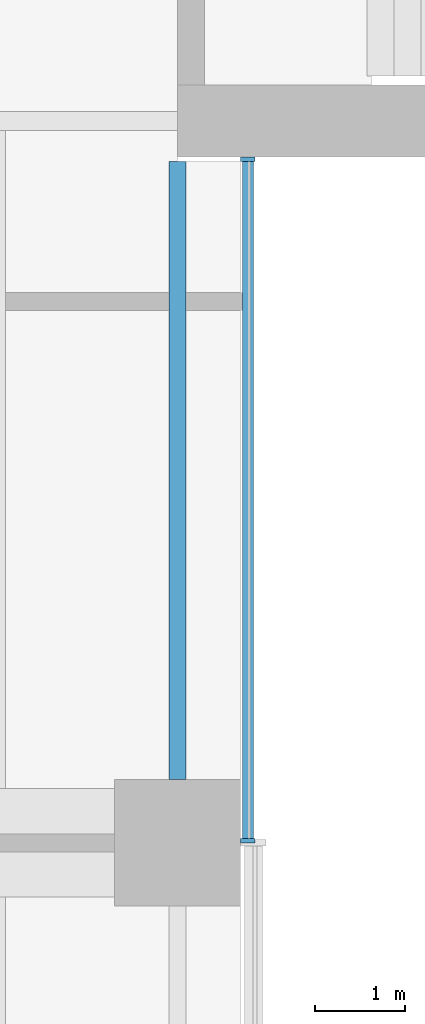
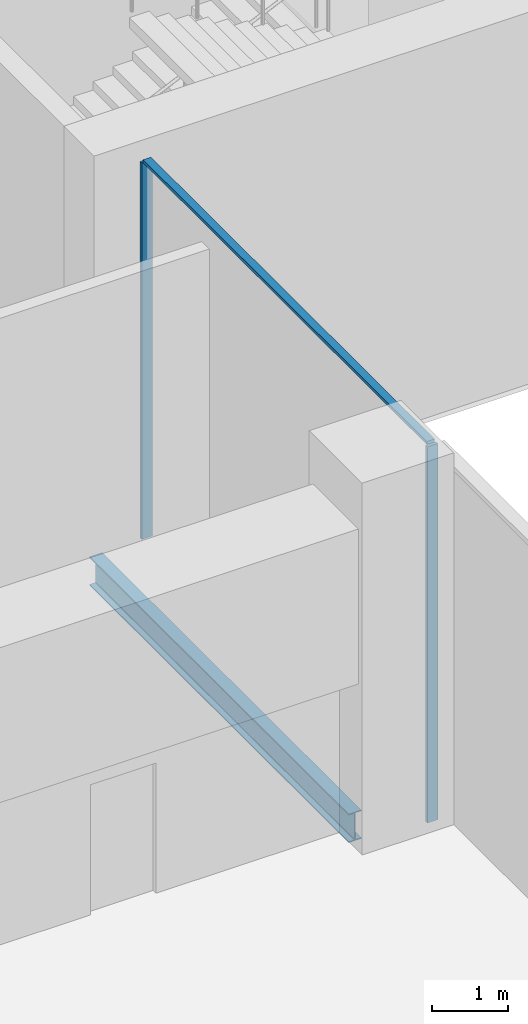
# One storey, part 5 of 23: 3 members, 1 beam, 1 element without a shape of its own.
"""IFC4 building model written with IfcOpenShell, lengths in metres."""

from ifc_helpers import new_model, si_unit, direction, frame, origin, origin_2d, place, context, subcontext, project, spatial, rectangle, i_section, extrude, material, material_profile, profile_set, type_object, element, aggregate, save


model = new_model("IFC4")

# Units and contexts
model_context = context("Model", 3, precision=1e-05, world=origin(), true_north=direction((0.0, 1.0)))
body_context = subcontext(model_context, "Body", "Model", "MODEL_VIEW")
ifc_project = project(units=[si_unit("LENGTHUNIT", "METRE"), si_unit("AREAUNIT", "SQUARE_METRE"), si_unit("VOLUMEUNIT", "CUBIC_METRE"), si_unit("PLANEANGLEUNIT", "RADIAN"), si_unit("MASSUNIT", "GRAM", prefix="KILO")], contexts=[model_context])

# Site, building, storey
site_placement = place(None, origin())
site = spatial("IfcSite", under=ifc_project, at=site_placement, CompositionType="ELEMENT")
building_placement = place(site_placement, origin())
building = spatial("IfcBuilding", under=site, at=building_placement, Name="Crosswind Convention Tower", CompositionType="ELEMENT")
storey_placement = place(building_placement, frame((0.0, 0.0, 47.5)))
storey = spatial("IfcBuildingStorey", under=building, at=storey_placement, Name="L06", CompositionType="ELEMENT", Elevation=47.5)

# Beam
ifc_material_1 = material(Name="Steel S355", Category="steel")
ifc_material_profile_1 = material_profile(ifc_material_1, i_section(OverallWidth=0.19189453125, OverallDepth=0.463623046875, WebThickness=0.010498046875, FlangeThickness=0.017578125, FilletRadius=0.01025390625, at=origin_2d()), Name="UB 457x191x90")
ifc_profile_set_1 = profile_set([ifc_material_profile_1], Name="Steel S355")
beam_type = type_object("IfcBeamType", Name="Edge beam UB 457x191x90", PredefinedType="SPANDREL", material=ifc_profile_set_1)
beam_placement = place(storey_placement, frame((137.0, 80.699951171875, -0.6318359375), z_axis=(0.0, 1.0, 0.0), x_axis=(-1.0, 0.0, 0.0)))
element("IfcBeam", 1, at=beam_placement, inside=storey, type_object=beam_type, Name="B19 L06 edge beam 16", PredefinedType="SPANDREL", context=body_context, shape_type="SweptSolid", body=[
    extrude(i_section(OverallWidth=0.19189453125, OverallDepth=0.463623046875, WebThickness=0.010498046875, FlangeThickness=0.017578125, FilletRadius=0.01025390625, at=origin_2d()), origin(), (0.0, 0.0, 1.0), 6.85009765625),
])

# Curtain wall, members
ifc_material_2 = material(Name="Aluminium unitised curtain wall", Category="aluminium")
curtain_wall_type = type_object("IfcCurtainWallType", Name="CORE END SLOT WALL 160", PredefinedType="USERDEFINED", material=ifc_material_2)
curtain_wall_placement = place(storey_placement, origin())
curtain_wall = element("IfcCurtainWall", 2, at=curtain_wall_placement, inside=storey, type_object=curtain_wall_type, Name="CW6 L06 S-E.1-3 slot", ObjectType="UNITISED", PredefinedType="USERDEFINED")
ifc_material_3 = material(Name="Aluminium mullion", Category="aluminium")
ifc_material_profile_2 = material_profile(ifc_material_3, rectangle(XDim=0.159912109375, YDim=0.050048828125, at=origin_2d()), Name="AL 160X50")
ifc_profile_set_2 = profile_set([ifc_material_profile_2], Name="Aluminium mullion")
member_type_1 = type_object("IfcMemberType", Name="MULLION 50X160", PredefinedType="MULLION", material=ifc_profile_set_2)
member_1_placement = place(storey_placement, frame((137.780029296875, 80.02490234375, -0.39990234375), z_axis=(0.0, 0.0, 1.0), x_axis=(1.0, 0.0, 0.0)))
member_1 = element("IfcMember", 3, at=member_1_placement, type_object=member_type_1, Name="CW6 mullion 1", PredefinedType="MULLION", context=body_context, shape_type="SweptSolid", body=[
    extrude(rectangle(XDim=0.159912109375, YDim=0.050048828125, at=origin_2d()), origin(), (0.0, 0.0, 1.0), 6.06982421875),
])
member_2_placement = place(storey_placement, frame((137.780029296875, 87.574951171875, -0.39990234375), z_axis=(0.0, 0.0, 1.0), x_axis=(1.0, 0.0, 0.0)))
member_2 = element("IfcMember", 4, at=member_2_placement, type_object=member_type_1, Name="CW6 mullion 2", PredefinedType="MULLION", context=body_context, shape_type="SweptSolid", body=[
    extrude(rectangle(XDim=0.159912109375, YDim=0.050048828125, at=origin_2d()), origin(), (0.0, 0.0, 1.0), 6.06982421875),
])
ifc_material_4 = material(Name="Aluminium transom", Category="aluminium")
ifc_material_profile_3 = material_profile(ifc_material_4, rectangle(XDim=0.1201171875, YDim=0.050048828125, at=origin_2d()), Name="AL 120X50")
ifc_profile_set_3 = profile_set([ifc_material_profile_3], Name="Aluminium transom")
member_type_2 = type_object("IfcMemberType", Name="TRANSOM 50X120", PredefinedType="USERDEFINED", material=ifc_profile_set_3)
member_3_placement = place(storey_placement, frame((137.780029296875, 80.050048828125, 5.695068359375), z_axis=(0.0, 1.0, 0.0), x_axis=(-1.0, 0.0, 0.0)))
member_3 = element("IfcMember", 5, at=member_3_placement, type_object=member_type_2, Name="CW6 transom", ObjectType="TRANSOM", PredefinedType="USERDEFINED", context=body_context, shape_type="SweptSolid", body=[
    extrude(rectangle(XDim=0.1201171875, YDim=0.050048828125, at=origin_2d()), origin(), (0.0, 0.0, 1.0), 7.5),
])
aggregate(curtain_wall, [member_1, member_2, member_3])

save(model, "model.ifc")
